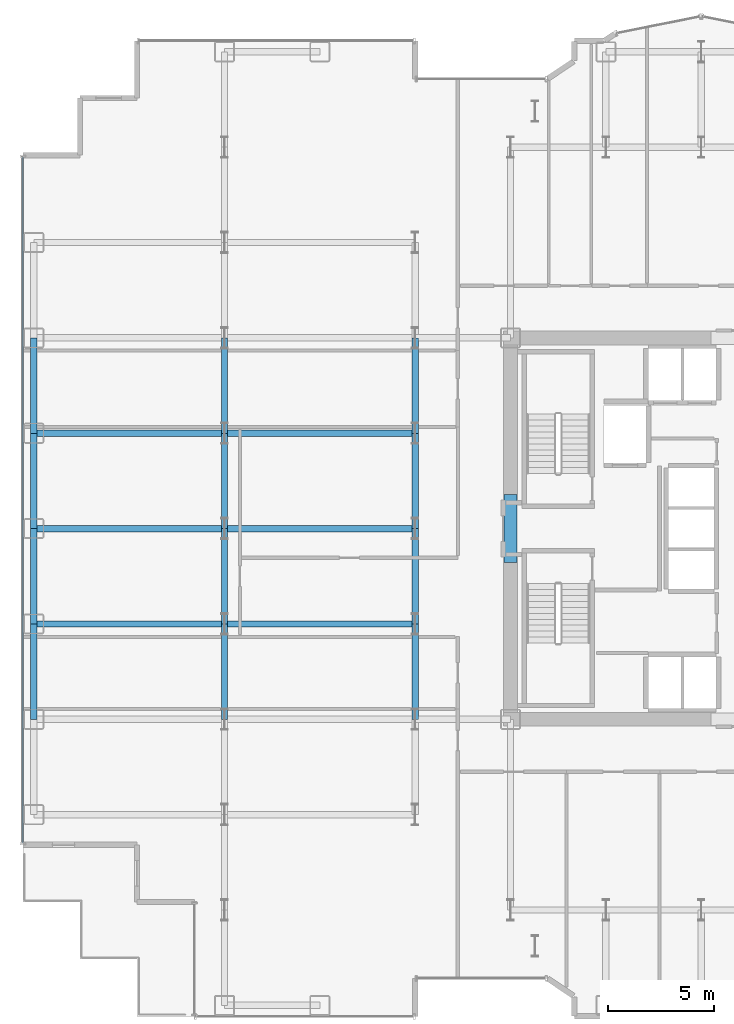
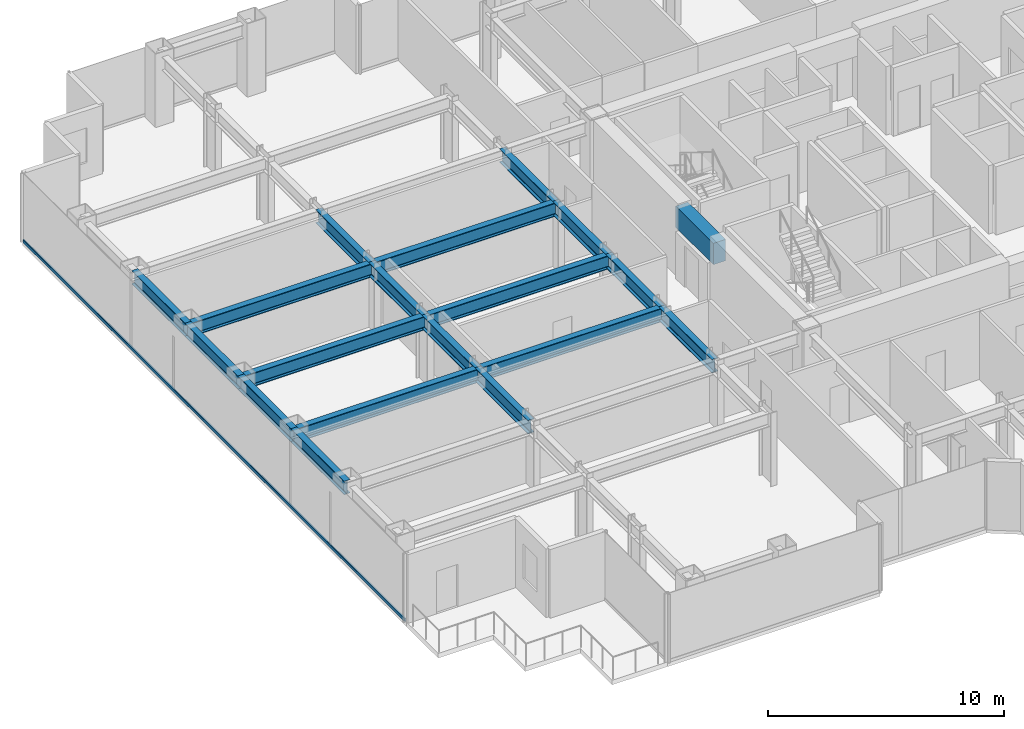
# One storey, part 5 of 27: 19 beams, 1 member, 1 element without a shape of its own.
"""IFC4 building model written with IfcOpenShell, lengths in metres."""

from ifc_helpers import new_model, si_unit, direction, frame, origin, origin_2d, place, context, subcontext, project, spatial, rectangle, hollow_rectangle, i_section, extrude, source, transform, mapped, material, layer, layer_set, material_profile, profile_set, type_object, element, aggregate, save


model = new_model("IFC4")

# Units and contexts
model_context = context("Model", 3, precision=1e-05, world=origin(), true_north=direction((0.0, 1.0)))
body_context = subcontext(model_context, "Body", "Model", "MODEL_VIEW")
ifc_project = project(units=[si_unit("LENGTHUNIT", "METRE"), si_unit("AREAUNIT", "SQUARE_METRE"), si_unit("VOLUMEUNIT", "CUBIC_METRE"), si_unit("PLANEANGLEUNIT", "RADIAN"), si_unit("MASSUNIT", "GRAM", prefix="KILO")], contexts=[model_context])

# Site, building, storey
site_placement = place(None, origin())
site = spatial("IfcSite", under=ifc_project, at=site_placement, CompositionType="ELEMENT")
building_placement = place(site_placement, origin())
building = spatial("IfcBuilding", under=site, at=building_placement, Name="Nefas-Gora Pilgrimage Tower", CompositionType="ELEMENT")
storey_placement = place(building_placement, frame((0.0, 0.0, 48.199951171875)))
storey = spatial("IfcBuildingStorey", under=building, at=storey_placement, Name="L10", CompositionType="ELEMENT", Elevation=48.199951171875)

# Beams
ifc_material_1 = material(Name="Concrete C60/75", Category="concrete")
ifc_material_profile_1 = material_profile(ifc_material_1, rectangle(XDim=0.60009765625, YDim=1.10009765625, at=origin_2d()), Name="RC 600x1100")
ifc_profile_set_1 = profile_set([ifc_material_profile_1], Name="Concrete C60/75")
beam_type_1 = type_object("IfcBeamType", Name="BM-LIN-RC1100", PredefinedType="LINTEL", material=ifc_profile_set_1)
shared_shape_1 = source(origin(), body_context, "Body", "SweptSolid", [
    extrude(rectangle(XDim=0.60009765625, YDim=1.10009765625, at=origin_2d()), origin(), (0.0, 0.0, 1.0), 3.2001953125),
])
beam_placement = place(storey_placement, frame((-11.25, -1.60009765625, 3.0), z_axis=(0.0, 1.0, 0.0), x_axis=(-1.0, 0.0, 0.0)))
element("IfcBeam", 1, at=beam_placement, inside=storey, type_object=beam_type_1, Name="L10 Core Coupling Lintel Beam W", PredefinedType="LINTEL", context=body_context, shape_type="MappedRepresentation", body=[
    mapped(shared_shape_1, transform((0.0, 0.0, 0.0), x_axis=(1.0, 0.0, 0.0), y_axis=(0.0, 1.0, 0.0), z_axis=(0.0, 0.0, 1.0), scale=1.0)),
])
ifc_material_2 = material(Name="Steel S355", Category="steel")
ifc_material_profile_2 = material_profile(ifc_material_2, i_section(OverallWidth=0.300048828125, OverallDepth=0.699951171875, WebThickness=0.01708984375, FlangeThickness=0.031982421875, FilletRadius=0.027099609375, at=origin_2d()), Name="HEB 700")
ifc_profile_set_2 = profile_set([ifc_material_profile_2], Name="Steel S355")
beam_type_2 = type_object("IfcBeamType", Name="BM-SPN-HEB600", PredefinedType="SPANDREL", material=ifc_profile_set_2)
shared_shape_2 = source(origin(), body_context, "Body", "SweptSolid", [
    extrude(i_section(OverallWidth=0.300048828125, OverallDepth=0.699951171875, WebThickness=0.01708984375, FlangeThickness=0.031982421875, FilletRadius=0.027099609375, at=origin_2d()), origin(), (0.0, 0.0, 1.0), 4.5),
])
for number, where, z_axis, x_axis, name in (
    (2, (-33.75, -9.0, 3.199951171875), (0.0, 1.0, 0.0), (-1.0, 0.0, 0.0), "L10 SP-01 beam"),
    (3, (-33.75, -4.5, 3.199951171875), (0.0, 1.0, 0.0), (-1.0, 0.0, 0.0), "L10 SP-01 beam"),
    (4, (-33.75, 0.0, 3.199951171875), (0.0, 1.0, 0.0), (-1.0, 0.0, 0.0), "L10 SP-01 beam"),
    (5, (-33.75, 4.5, 3.199951171875), (0.0, 1.0, 0.0), (-1.0, 0.0, 0.0), "L10 SP-01 beam"),
):
    element("IfcBeam", number, at=place(storey_placement, frame(where, z_axis=z_axis, x_axis=x_axis)), inside=storey, type_object=beam_type_2, Name=name, PredefinedType="SPANDREL", context=body_context, shape_type="MappedRepresentation", body=[
        mapped(shared_shape_2, transform((0.0, 0.0, 0.0), x_axis=(1.0, 0.0, 0.0), y_axis=(0.0, 1.0, 0.0), z_axis=(0.0, 0.0, 1.0), scale=1.0)),
    ])
ifc_material_profile_3 = material_profile(ifc_material_2, i_section(OverallWidth=0.300048828125, OverallDepth=0.699951171875, WebThickness=0.01708984375, FlangeThickness=0.031982421875, FilletRadius=0.027099609375, at=origin_2d()), Name="HEB 700")
ifc_profile_set_3 = profile_set([ifc_material_profile_3], Name="Steel S355")
beam_type_3 = type_object("IfcBeamType", Name="BM-GIR-HEB700", PredefinedType="BEAM", material=ifc_profile_set_3)
shared_shape_3 = source(origin(), body_context, "Body", "SweptSolid", [
    extrude(i_section(OverallWidth=0.300048828125, OverallDepth=0.699951171875, WebThickness=0.01708984375, FlangeThickness=0.031982421875, FilletRadius=0.027099609375, at=origin_2d()), origin(), (0.0, 0.0, 1.0), 9.0),
])
for number, where, z_axis, x_axis, name in (
    (6, (-33.75, -4.5, 3.199951171875), (1.0, 0.0, 0.0), (0.0, 1.0, 0.0), "L10 G-02 beam"),
    (7, (-33.75, 0.0, 3.199951171875), (1.0, 0.0, 0.0), (0.0, 1.0, 0.0), "L10 G-02 beam"),
    (8, (-33.75, 4.5, 3.199951171875), (1.0, 0.0, 0.0), (0.0, 1.0, 0.0), "L10 G-02 beam"),
    (9, (-24.75, -4.5, 3.199951171875), (1.0, 0.0, 0.0), (0.0, 1.0, 0.0), "L10 G-02 beam"),
    (10, (-24.75, 0.0, 3.199951171875), (1.0, 0.0, 0.0), (0.0, 1.0, 0.0), "L10 G-02 beam"),
    (11, (-24.75, 4.5, 3.199951171875), (1.0, 0.0, 0.0), (0.0, 1.0, 0.0), "L10 G-02 beam"),
):
    element("IfcBeam", number, at=place(storey_placement, frame(where, z_axis=z_axis, x_axis=x_axis)), inside=storey, type_object=beam_type_3, Name=name, PredefinedType="BEAM", context=body_context, shape_type="MappedRepresentation", body=[
        mapped(shared_shape_3, transform((0.0, 0.0, 0.0), x_axis=(1.0, 0.0, 0.0), y_axis=(0.0, 1.0, 0.0), z_axis=(0.0, 0.0, 1.0), scale=1.0)),
    ])
shared_shape_4 = source(origin(), body_context, "Body", "SweptSolid", [
    extrude(i_section(OverallWidth=0.300048828125, OverallDepth=0.699951171875, WebThickness=0.01708984375, FlangeThickness=0.031982421875, FilletRadius=0.027099609375, at=origin_2d()), origin(), (0.0, 0.0, 1.0), 4.5),
])
for number, where, z_axis, x_axis, name in (
    (12, (-24.75, -9.0, 3.199951171875), (0.0, 1.0, 0.0), (-1.0, 0.0, 0.0), "L10 G-02 beam"),
    (13, (-24.75, -4.5, 3.199951171875), (0.0, 1.0, 0.0), (-1.0, 0.0, 0.0), "L10 G-02 beam"),
    (14, (-24.75, 0.0, 3.199951171875), (0.0, 1.0, 0.0), (-1.0, 0.0, 0.0), "L10 G-02 beam"),
    (15, (-24.75, 4.5, 3.199951171875), (0.0, 1.0, 0.0), (-1.0, 0.0, 0.0), "L10 G-02 beam"),
    (16, (-15.75, -9.0, 3.199951171875), (0.0, 1.0, 0.0), (-1.0, 0.0, 0.0), "L10 G-02 beam"),
    (17, (-15.75, -4.5, 3.199951171875), (0.0, 1.0, 0.0), (-1.0, 0.0, 0.0), "L10 G-02 beam"),
    (18, (-15.75, 0.0, 3.199951171875), (0.0, 1.0, 0.0), (-1.0, 0.0, 0.0), "L10 G-02 beam"),
    (19, (-15.75, 4.5, 3.199951171875), (0.0, 1.0, 0.0), (-1.0, 0.0, 0.0), "L10 G-02 beam"),
):
    element("IfcBeam", number, at=place(storey_placement, frame(where, z_axis=z_axis, x_axis=x_axis)), inside=storey, type_object=beam_type_3, Name=name, PredefinedType="BEAM", context=body_context, shape_type="MappedRepresentation", body=[
        mapped(shared_shape_4, transform((0.0, 0.0, 0.0), x_axis=(1.0, 0.0, 0.0), y_axis=(0.0, 1.0, 0.0), z_axis=(0.0, 0.0, 1.0), scale=1.0)),
    ])

# Curtain wall, member
ifc_material_3 = material(Name="Dark ceramic-fritted solar-control aluminium-glass curtain wall", Category="aluminium")
ifc_layer = layer(ifc_material_3, 0.219970703125)
ifc_layer_set = layer_set([ifc_layer], Name="Dark ceramic-fritted solar-control aluminium-glass curtain wall")
curtain_wall_type = type_object("IfcCurtainWallType", Name="CW-SYS-2", PredefinedType="NOTDEFINED", material=ifc_layer_set)
curtain_wall_placement = place(storey_placement, origin())
curtain_wall = element("IfcCurtainWall", 20, at=curtain_wall_placement, inside=storey, type_object=curtain_wall_type, Name="L10 Unitised Curtain Wall CW2", PredefinedType="NOTDEFINED")
ifc_material_4 = material(Name="Anodised architectural aluminium", Category="aluminium")
ifc_material_profile_4 = material_profile(ifc_material_4, hollow_rectangle(XDim=0.080078125, YDim=0.159912109375, WallThickness=0.00439453125, InnerFilletRadius=0.00439453125, OuterFilletRadius=0.009033203125, at=origin_2d()), Name="ALU TRANSOM 80x160")
ifc_profile_set_4 = profile_set([ifc_material_profile_4], Name="Anodised architectural aluminium")
member_type = type_object("IfcMemberType", Name="CWM-TRN-2", PredefinedType="USERDEFINED", material=ifc_profile_set_4)
shared_shape_5 = source(origin(), body_context, "Body", "SweptSolid", [
    extrude(hollow_rectangle(XDim=0.080078125, YDim=0.159912109375, WallThickness=0.00439453125, InnerFilletRadius=0.00439453125, OuterFilletRadius=0.009033203125, at=origin_2d()), origin(), (0.0, 0.0, 1.0), 32.360107421875),
])
member_placement = place(storey_placement, frame((-34.27001953125, 17.530029296875, 0.050048828125), z_axis=(0.0, -1.0, 0.0), x_axis=(1.0, 0.0, 0.0)))
member = element("IfcMember", 21, at=member_placement, type_object=member_type, Name="CW2 Spandrel Transom", ObjectType="TRANSOM", PredefinedType="USERDEFINED", context=body_context, shape_type="MappedRepresentation", body=[
    mapped(shared_shape_5, transform((0.0, 0.0, 0.0), x_axis=(1.0, 0.0, 0.0), y_axis=(0.0, 1.0, 0.0), z_axis=(0.0, 0.0, 1.0), scale=1.0)),
])
aggregate(curtain_wall, [member])

save(model, "model.ifc")
